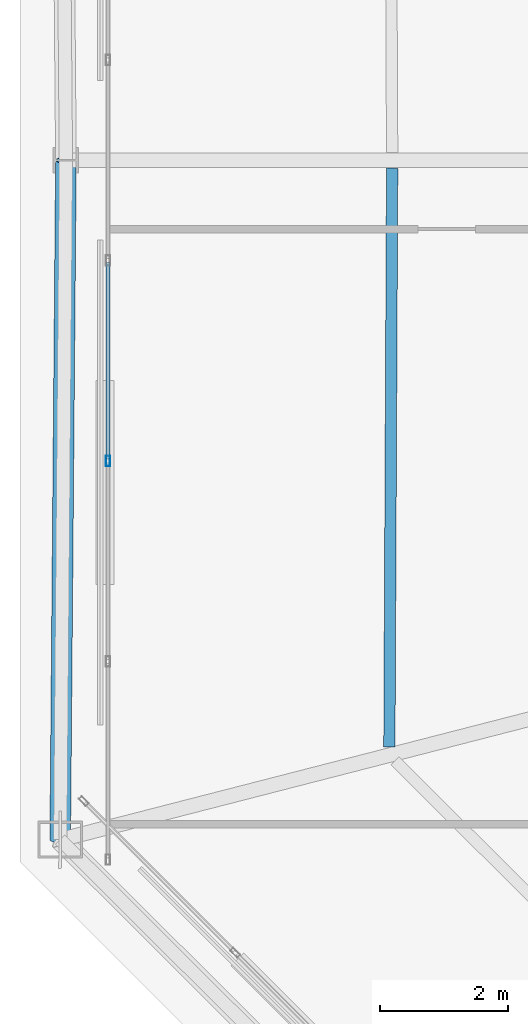
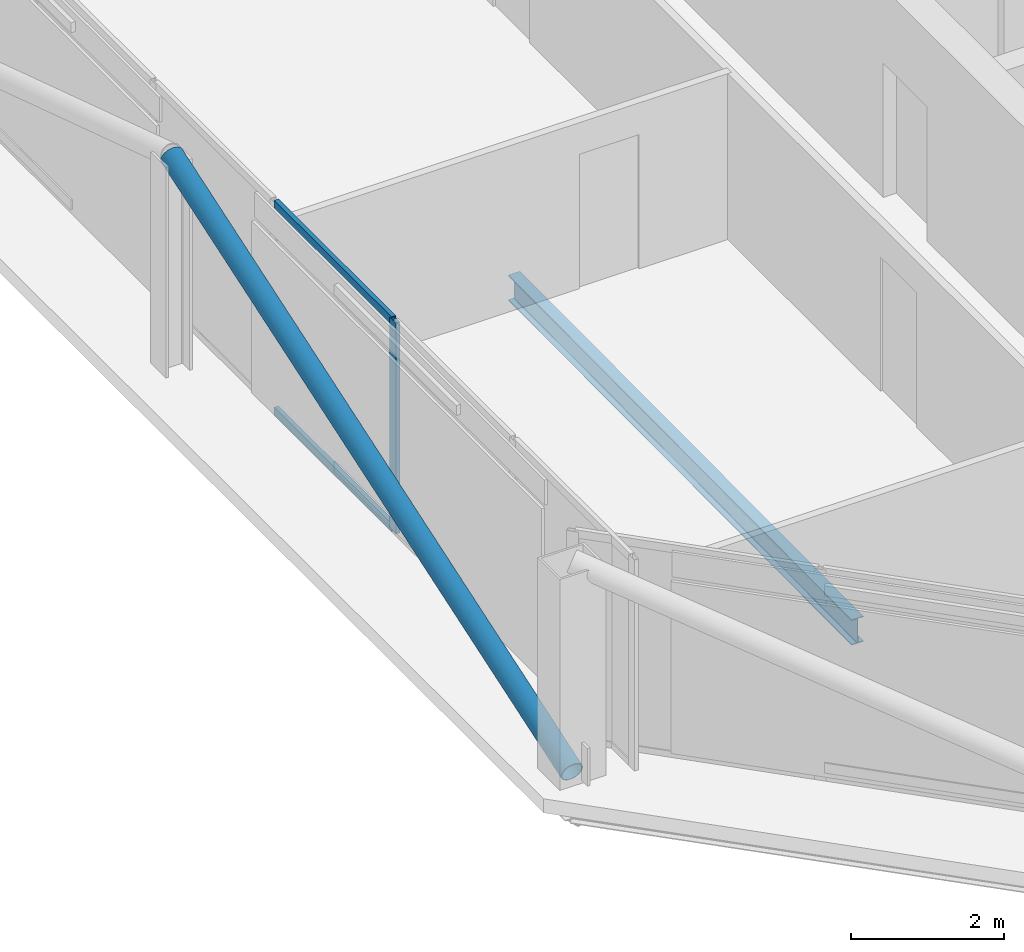
# One storey, part 6 of 26: 4 members, 1 beam, 1 element without a shape of its own.
"""IFC4 building model written with IfcOpenShell, lengths in metres."""

from ifc_helpers import new_model, si_unit, direction, frame, origin, origin_2d, place, context, subcontext, project, spatial, hollow_rectangle, hollow_circle, i_section, extrude, material, layer, layer_set, material_profile, profile_set, type_object, element, aggregate, save


model = new_model("IFC4")

# Units and contexts
model_context = context("Model", 3, precision=1e-05, world=origin(), true_north=direction((0.0, 1.0)))
body_context = subcontext(model_context, "Body", "Model", "MODEL_VIEW")
ifc_project = project(units=[si_unit("LENGTHUNIT", "METRE"), si_unit("AREAUNIT", "SQUARE_METRE"), si_unit("VOLUMEUNIT", "CUBIC_METRE"), si_unit("PLANEANGLEUNIT", "RADIAN"), si_unit("MASSUNIT", "GRAM", prefix="KILO")], contexts=[model_context])

# Site, building, storey
site_placement = place(None, origin())
site = spatial("IfcSite", under=ifc_project, at=site_placement, CompositionType="ELEMENT")
building_placement = place(site_placement, origin())
building = spatial("IfcBuilding", under=site, at=building_placement, Name="Caelvoria Tower", CompositionType="ELEMENT")
storey_placement = place(building_placement, frame((0.0, 0.0, 239.39990234375)))
storey = spatial("IfcBuildingStorey", under=building, at=storey_placement, Name="L63", CompositionType="ELEMENT", Elevation=239.39990234375)

# Curtain wall, members
ifc_material_1 = material(Name="Anodised Bronze Aluminium and Low-E Glass", Category="aluminium")
ifc_layer = layer(ifc_material_1, 0.175048828125, Name="Anodised Bronze Aluminium and Low-E Glass")
ifc_layer_set = layer_set([ifc_layer], Name="CW System 4 High-Zone Tapered Crystal Facade - Anodised Bronze Aluminium and Low-E Glass")
curtain_wall_type = type_object("IfcCurtainWallType", Name="CW System 4 High-Zone Tapered Crystal Facade", PredefinedType="NOTDEFINED", material=ifc_layer_set)
curtain_wall_placement = place(storey_placement, origin())
curtain_wall = element("IfcCurtainWall", 1, at=curtain_wall_placement, inside=storey, type_object=curtain_wall_type, Name="CW-04 Curtain Wall L63-E6", PredefinedType="NOTDEFINED")
ifc_material_2 = material(Name="Anodised Bronze Architectural Aluminium", Category="aluminium")
ifc_material_profile_1 = material_profile(ifc_material_2, hollow_rectangle(XDim=0.06494140625, YDim=0.159912109375, WallThickness=0.00390625, at=origin_2d()), Name="Anodised Bronze Architectural Aluminium")
ifc_profile_set_1 = profile_set([ifc_material_profile_1], Name="CW_MULL_65X160 - Anodised Bronze Architectural Aluminium")
member_type_1 = type_object("IfcMemberType", Name="Curtain Wall Mullion 65x160 Bronze Aluminium", PredefinedType="MULLION", material=ifc_profile_set_1)
member_1_placement = place(storey_placement, frame((27.429931640625, 27.28564453125, 0.0), z_axis=(0.0, 0.0, 1.0), x_axis=(1.0, 0.0, 0.0)))
member_1 = element("IfcMember", 2, at=member_1_placement, type_object=member_type_1, Name="CW-04 mullion 6", PredefinedType="MULLION", context=body_context, shape_type="SweptSolid", body=[
    extrude(hollow_rectangle(XDim=0.06494140625, YDim=0.159912109375, WallThickness=0.00390625, at=origin_2d()), origin(), (0.0, 0.0, 1.0), 3.375),
])
ifc_material_profile_2 = material_profile(ifc_material_2, hollow_rectangle(XDim=0.06494140625, YDim=0.1298828125, WallThickness=0.00341796875, at=origin_2d()), Name="Anodised Bronze Architectural Aluminium")
ifc_profile_set_2 = profile_set([ifc_material_profile_2], Name="CW_TRAN_65X130 - Anodised Bronze Architectural Aluminium")
member_type_2 = type_object("IfcMemberType", Name="Curtain Wall Transom 65x130 Bronze Aluminium", PredefinedType="USERDEFINED", material=ifc_profile_set_2)
member_2_placement = place(storey_placement, frame((27.429931640625, 30.39599609375, 0.03271484375), z_axis=(0.0, -1.0, 0.0), x_axis=(1.0, 0.0, 0.0)))
member_2 = element("IfcMember", 3, at=member_2_placement, type_object=member_type_2, Name="CW-04 transom 5.1", ObjectType="TRANSOM", PredefinedType="USERDEFINED", context=body_context, shape_type="SweptSolid", body=[
    extrude(hollow_rectangle(XDim=0.06494140625, YDim=0.1298828125, WallThickness=0.00341796875, at=origin_2d()), origin(), (0.0, 0.0, 1.0), 3.077880859375),
])
member_3_placement = place(storey_placement, frame((27.429931640625, 30.39599609375, 3.342529296875), z_axis=(0.0, -1.0, 0.0), x_axis=(1.0, 0.0, 0.0)))
member_3 = element("IfcMember", 4, at=member_3_placement, type_object=member_type_2, Name="CW-04 transom 5.2", ObjectType="TRANSOM", PredefinedType="USERDEFINED", context=body_context, shape_type="SweptSolid", body=[
    extrude(hollow_rectangle(XDim=0.06494140625, YDim=0.1298828125, WallThickness=0.00341796875, at=origin_2d()), origin(), (0.0, 0.0, 1.0), 3.077880859375),
])
aggregate(curtain_wall, [member_1, member_2, member_3])

# Beam
ifc_material_3 = material(Name="Structural Steel ASTM A992 Gr.50", Category="steel")
ifc_material_profile_3 = material_profile(ifc_material_3, i_section(OverallWidth=0.177978515625, OverallDepth=0.406982421875, WebThickness=0.0078125, FlangeThickness=0.0126953125, FilletRadius=0.013916015625, at=origin_2d()), Name="Structural Steel ASTM A992 Gr.50")
ifc_profile_set_3 = profile_set([ifc_material_profile_3], Name="W410X60 - Structural Steel ASTM A992 Gr.50")
beam_type = type_object("IfcBeamType", Name="Secondary Floor Beam W410X60", PredefinedType="BEAM", material=ifc_profile_set_3)
beam_placement = place(storey_placement, frame((31.884521484375, 31.875, -0.428466796875), z_axis=(-0.004814878553, -0.999988408405, 0.0), x_axis=(0.999988408405, -0.004814878553, 0.0)))
element("IfcBeam", 5, at=beam_placement, inside=storey, type_object=beam_type, Name="Secondary Floor Beam L63-10", PredefinedType="BEAM", context=body_context, shape_type="SweptSolid", body=[
    extrude(i_section(OverallWidth=0.177978515625, OverallDepth=0.406982421875, WebThickness=0.0078125, FlangeThickness=0.0126953125, FilletRadius=0.013916015625, at=origin_2d()), origin(), (0.0, 0.0, 1.0), 9.076171875),
])

# Member
ifc_material_4 = material(Name="Structural Steel ASTM A572 Gr.50", Category="steel")
ifc_material_profile_4 = material_profile(ifc_material_4, hollow_circle(Radius=0.162109375, WallThickness=0.0126953125, at=origin_2d()), Name="Structural Steel ASTM A572 Gr.50")
ifc_profile_set_4 = profile_set([ifc_material_profile_4], Name="CHS324X12.7 - Structural Steel ASTM A572 Gr.50")
member_type_3 = type_object("IfcMemberType", Name="Summit Perimeter Mega Brace CHS324X12.7", PredefinedType="BRACE", material=ifc_profile_set_4)
member_4_placement = place(storey_placement, frame((26.680419921875, 21.34765625, 0.0), z_axis=(0.008018168554, 0.953266295217, 0.302024964821), x_axis=(-0.999964627248, 0.008410960263, 0.0)))
element("IfcMember", 6, at=member_4_placement, inside=storey, type_object=member_type_3, Name="Perimeter Cardinal Mega Brace L63 WB", PredefinedType="BRACE", context=body_context, shape_type="SweptSolid", body=[
    extrude(hollow_circle(Radius=0.162109375, WallThickness=0.0126953125, at=origin_2d()), origin(), (0.0, 0.0, 1.0), 11.174560546875),
])

save(model, "model.ifc")
